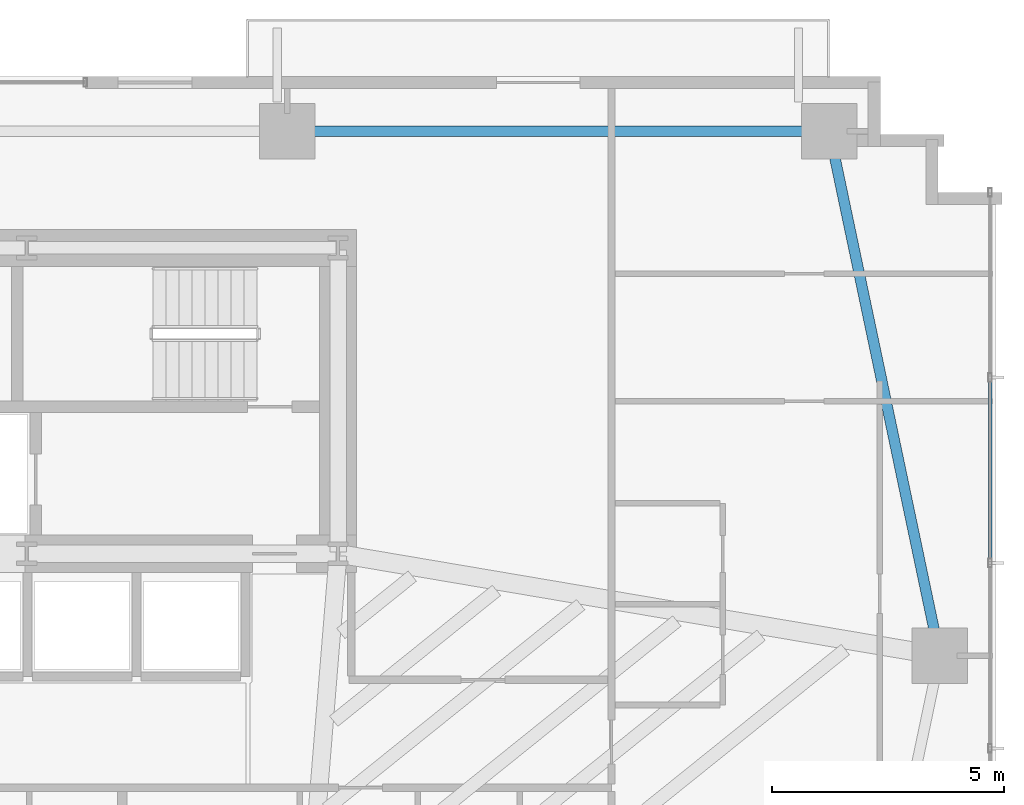
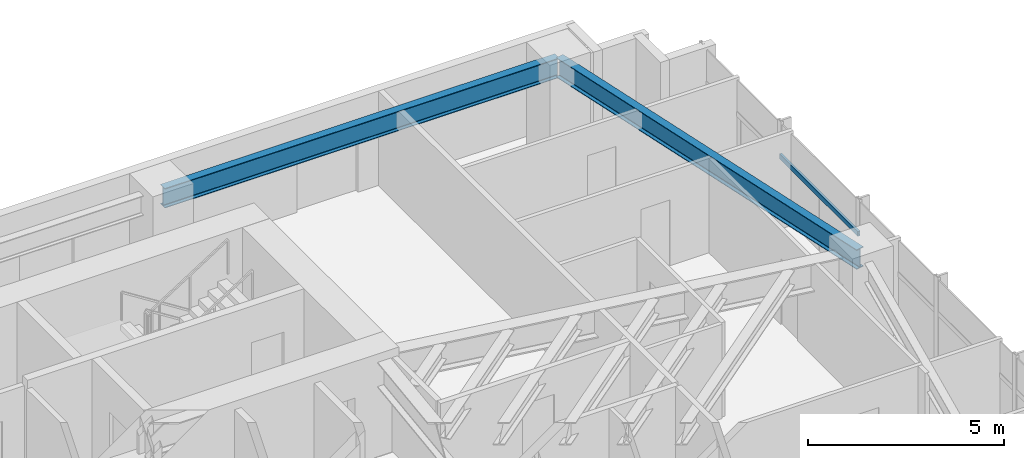
# One storey, part 16 of 25: 2 beams, 1 member, 1 element without a shape of its own.
"""IFC4 building model written with IfcOpenShell, lengths in metres."""

from ifc_helpers import new_model, si_unit, direction, frame, origin, origin_2d, place, context, subcontext, project, spatial, hollow_rectangle, i_section, extrude, source, transform, mapped, material, material_profile, profile_set, type_object, type_shapes, element, aggregate, save


model = new_model("IFC4")

# Units and contexts
model_context = context("Model", 3, precision=1e-05, world=origin(), true_north=direction((0.0, 1.0)))
body_context = subcontext(model_context, "Body", "Model", "MODEL_VIEW")
ifc_project = project(units=[si_unit("LENGTHUNIT", "METRE"), si_unit("AREAUNIT", "SQUARE_METRE"), si_unit("VOLUMEUNIT", "CUBIC_METRE"), si_unit("PLANEANGLEUNIT", "RADIAN"), si_unit("MASSUNIT", "GRAM", prefix="KILO")], contexts=[model_context])

# Site, building, storey
site_placement = place(None, origin())
site = spatial("IfcSite", under=ifc_project, at=site_placement, CompositionType="ELEMENT")
building_placement = place(site_placement, origin())
building = spatial("IfcBuilding", under=site, at=building_placement, Name="Astriad Promenade Condominiums", CompositionType="ELEMENT")
storey_placement = place(building_placement, frame((0.0, 0.0, 51.800048828125)))
storey = spatial("IfcBuildingStorey", under=building, at=storey_placement, Name="L14", CompositionType="ELEMENT", Elevation=51.800048828125)

# Beams
ifc_material_1 = material(Name="Steel ASTM A992 Grade 50", Category="steel")
ifc_material_profile_1 = material_profile(ifc_material_1, i_section(OverallWidth=0.22900390625, OverallDepth=0.612060546875, WebThickness=0.011962890625, FlangeThickness=0.01953125, FilletRadius=0.017822265625, at=origin_2d()), Name="W24X84")
ifc_profile_set_1 = profile_set([ifc_material_profile_1], Name="Steel ASTM A992 Grade 50")
beam_type = type_object("IfcBeamType", Name="STEEL SPANDREL BEAM W24X84", PredefinedType="SPANDREL", material=ifc_profile_set_1)
shared_shape_1 = source(origin(), body_context, "Body", "SweptSolid", [
    extrude(i_section(OverallWidth=0.22900390625, OverallDepth=0.612060546875, WebThickness=0.011962890625, FlangeThickness=0.01953125, FilletRadius=0.017822265625, at=origin_2d()), origin(), (0.0, 0.0, 1.0), 11.619873046875),
])
beam_1_placement = place(storey_placement, frame((56.159912109375, 26.52001953125, 2.634033203125), z_axis=(-1.0, 0.0, 0.0), x_axis=(0.0, -1.0, 0.0)))
element("IfcBeam", 1, at=beam_1_placement, inside=storey, type_object=beam_type, Name="Perimeter Spandrel Beam SP-N4-L14", PredefinedType="SPANDREL", context=body_context, shape_type="MappedRepresentation", body=[
    mapped(shared_shape_1, transform((0.0, 0.0, 0.0), scale=1.0)),
])
shared_shape_2 = source(origin(), body_context, "Body", "SweptSolid", [
    extrude(i_section(OverallWidth=0.22900390625, OverallDepth=0.612060546875, WebThickness=0.011962890625, FlangeThickness=0.01953125, FilletRadius=0.017822265625, at=origin_2d()), origin(), (0.0, 0.0, 1.0), 11.48779296875),
])
type_shapes(beam_type, [shared_shape_1, shared_shape_2])
beam_2_placement = place(storey_placement, frame((58.57177734375, 15.239013671875, 2.634033203125), z_axis=(-0.205743776427, 0.978605895374, 0.0), x_axis=(-0.978605895374, -0.205743776427, 0.0)))
element("IfcBeam", 2, at=beam_2_placement, inside=storey, type_object=beam_type, Name="Perimeter Spandrel Beam SP-E2-L14", PredefinedType="SPANDREL", context=body_context, shape_type="MappedRepresentation", body=[
    mapped(shared_shape_2, transform((0.0, 0.0, 0.0), scale=1.0)),
])

# Curtain wall, member
ifc_material_2 = material(Name="Anodised aluminium Black Dark Glass Unitised", Category="aluminium")
curtain_wall_type = type_object("IfcCurtainWallType", Name="CW-B1-DARK", PredefinedType="USERDEFINED", material=ifc_material_2)
curtain_wall_placement = place(storey_placement, origin())
curtain_wall = element("IfcCurtainWall", 3, at=curtain_wall_placement, inside=storey, type_object=curtain_wall_type, Name="CW-L14-E", ObjectType="UNITISED_CURTAIN_WALL", PredefinedType="USERDEFINED")
ifc_material_3 = material(Name="Anodised aluminium 6063-T6 Black", Category="aluminium")
ifc_material_profile_2 = material_profile(ifc_material_3, hollow_rectangle(XDim=0.074951171875, YDim=0.14990234375, WallThickness=0.004150390625, at=origin_2d()), Name="ALU-TRN-75X150")
ifc_profile_set_2 = profile_set([ifc_material_profile_2], Name="Anodised aluminium 6063-T6 Black")
member_type = type_object("IfcMemberType", Name="TRN-ALU-TRN-75X150", PredefinedType="USERDEFINED", material=ifc_profile_set_2)
shared_shape_3 = source(origin(), body_context, "Body", "SweptSolid", [
    extrude(hollow_rectangle(XDim=0.074951171875, YDim=0.14990234375, WallThickness=0.004150390625, at=origin_2d()), origin(), (0.0, 0.0, 1.0), 4.0),
])
type_shapes(member_type, [shared_shape_3])
member_placement = place(storey_placement, frame((59.669921875, 21.199951171875, 1.82275390625), z_axis=(0.0, -1.0, 0.0), x_axis=(1.0, 0.0, 0.0)))
member = element("IfcMember", 4, at=member_placement, type_object=member_type, Name="CW-L14-E-TRN-01-0", ObjectType="TRANSOM", PredefinedType="USERDEFINED", context=body_context, shape_type="MappedRepresentation", body=[
    mapped(shared_shape_3, transform((0.0, 0.0, 0.0), scale=1.0)),
])
aggregate(curtain_wall, [member])

save(model, "model.ifc")
